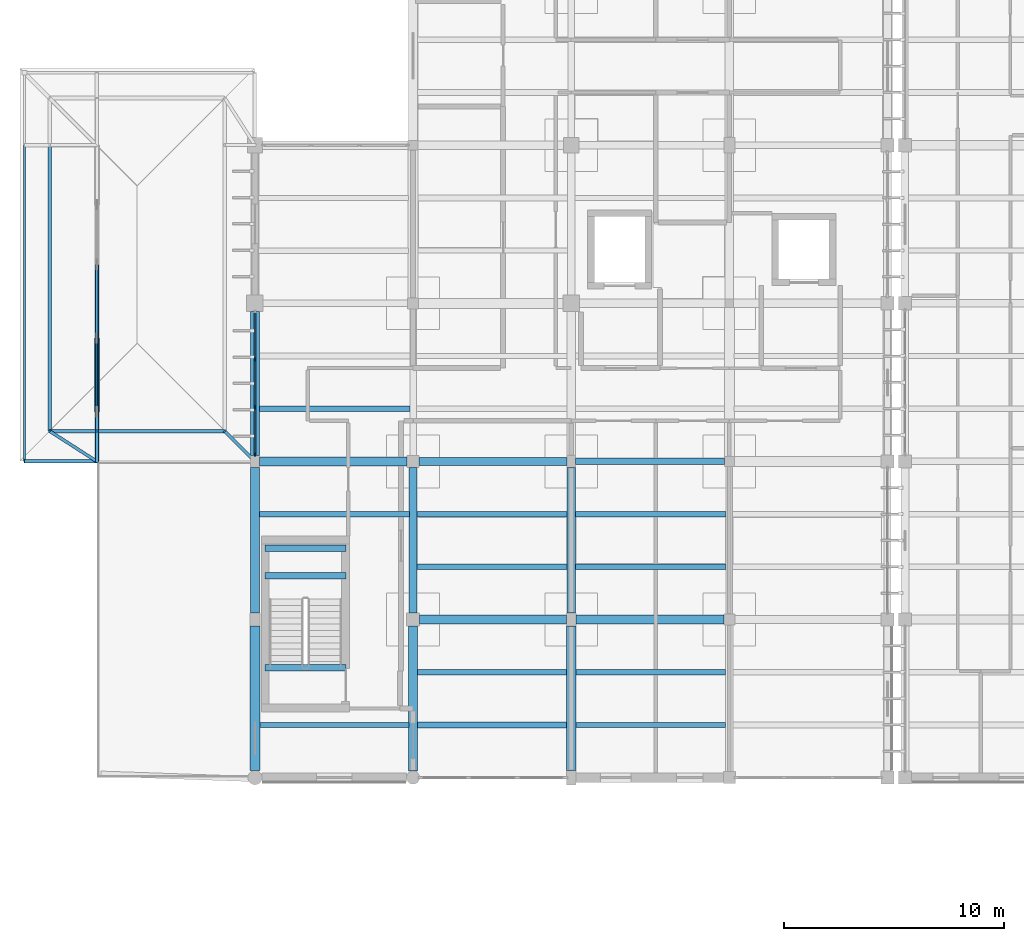
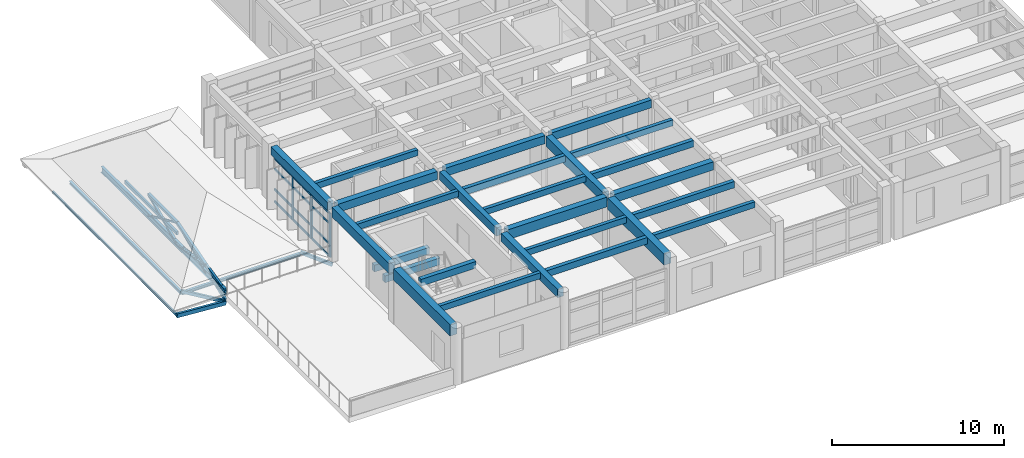
# One storey, part 15 of 100: 31 members, 27 beams, 1 element without a shape of its own.
"""IFC4 building model written with IfcOpenShell, lengths in metres."""

from ifc_helpers import new_model, si_unit, direction, frame, origin, origin_2d, place, context, subcontext, project, spatial, rectangle, hollow_rectangle, hollow_circle, i_section, extrude, material, material_profile, profile_set, type_object, element, aggregate, save


model = new_model("IFC4")

# Units and contexts
model_context = context("Model", 3, precision=1e-05, world=origin(), true_north=direction((0.0, 1.0)))
body_context = subcontext(model_context, "Body", "Model", "MODEL_VIEW")
ifc_project = project(units=[si_unit("LENGTHUNIT", "METRE"), si_unit("AREAUNIT", "SQUARE_METRE"), si_unit("VOLUMEUNIT", "CUBIC_METRE"), si_unit("PLANEANGLEUNIT", "RADIAN"), si_unit("MASSUNIT", "GRAM", prefix="KILO")], contexts=[model_context])

# Site, building, storey
site_placement = place(None, origin())
site = spatial("IfcSite", under=ifc_project, at=site_placement, CompositionType="ELEMENT")
building_placement = place(site_placement, origin())
building = spatial("IfcBuilding", under=site, at=building_placement, Name="Steenspoor Specialist Clinic", CompositionType="ELEMENT")
storey_placement = place(building_placement, frame((0.0, 0.0, 9.0)))
storey = spatial("IfcBuildingStorey", under=building, at=storey_placement, Name="L02", CompositionType="ELEMENT", Elevation=9.0)

# Beams
ifc_material_1 = material(Name="Concrete C35/45", Category="concrete")
ifc_material_profile_1 = material_profile(ifc_material_1, rectangle(XDim=0.300048828125, YDim=0.47998046875, at=origin_2d()), Name="RC-BM-300X480")
ifc_profile_set_1 = profile_set([ifc_material_profile_1], Name="Concrete C35/45")
beam_type_1 = type_object("IfcBeamType", Name="BM-RC-300X480", PredefinedType="BEAM", material=ifc_profile_set_1)
for number, where, z_axis, x_axis, name in (
    (1, (23.25, 74.35009765625, 1.659912109375), (1.0, 0.0, 0.0), (0.0, 1.0, 0.0), "Stair Mid-Landing Bearer 1 ST-V5B L02"),
    (2, (23.25, 75.60009765625, 1.659912109375), (1.0, 0.0, 0.0), (0.0, 1.0, 0.0), "Stair Mid-Landing Bearer 2 ST-V5B L02"),
    (3, (23.25, 70.14990234375, 3.9599609375), (1.0, 0.0, 0.0), (0.0, 1.0, 0.0), "Stair Well Trimmer Beam ST-V5B L02"),
):
    element("IfcBeam", number, at=place(storey_placement, frame(where, z_axis=z_axis, x_axis=x_axis)), inside=storey, type_object=beam_type_1, Name=name, PredefinedType="BEAM", context=body_context, shape_type="SweptSolid", body=[
        extrude(rectangle(XDim=0.300048828125, YDim=0.47998046875, at=origin_2d()), origin(), (0.0, 0.0, 1.0), 3.699951171875),
    ])
ifc_material_profile_2 = material_profile(ifc_material_1, rectangle(XDim=0.300048828125, YDim=0.550048828125, at=origin_2d()), Name="RC-BM-300X550")
ifc_profile_set_2 = profile_set([ifc_material_profile_2], Name="Concrete C35/45")
beam_type_2 = type_object("IfcBeamType", Name="BM-RC-300X550", PredefinedType="BEAM", material=ifc_profile_set_2)
beam_1_placement = place(storey_placement, frame((37.39501953125, 79.550048828125, 3.675048828125), z_axis=(1.0, 0.0, 0.0), x_axis=(0.0, 1.0, 0.0)))
element("IfcBeam", 4, at=beam_1_placement, inside=storey, type_object=beam_type_2, Name="BM-V5-L02-X1255", PredefinedType="BEAM", context=body_context, shape_type="SweptSolid", body=[
    extrude(rectangle(XDim=0.300048828125, YDim=0.550048828125, at=origin_2d()), origin(), (0.0, 0.0, 1.0), 6.784912109375),
])
ifc_material_profile_3 = material_profile(ifc_material_1, rectangle(XDim=0.35009765625, YDim=0.580078125, at=origin_2d()), Name="RC-BM-350X580")
ifc_profile_set_3 = profile_set([ifc_material_profile_3], Name="Concrete C35/45")
beam_type_3 = type_object("IfcBeamType", Name="BM-RC-350X580", PredefinedType="BEAM", material=ifc_profile_set_3)
beam_2_placement = place(storey_placement, frame((30.27001953125, 79.550048828125, 3.659912109375), z_axis=(1.0, 0.0, 0.0), x_axis=(0.0, 1.0, 0.0)))
element("IfcBeam", 5, at=beam_2_placement, inside=storey, type_object=beam_type_3, Name="BM-V5-L02-X1254", PredefinedType="BEAM", context=body_context, shape_type="SweptSolid", body=[
    extrude(rectangle(XDim=0.35009765625, YDim=0.580078125, at=origin_2d()), origin(), (0.0, 0.0, 1.0), 6.73486328125),
])
beam_3_placement = place(storey_placement, frame((30.0, 72.64501953125, 3.659912109375), z_axis=(0.0, 1.0, 0.0), x_axis=(-1.0, 0.0, 0.0)))
element("IfcBeam", 6, at=beam_3_placement, inside=storey, type_object=beam_type_3, Name="BM-V5-L02-Y1275", PredefinedType="BEAM", context=body_context, shape_type="SweptSolid", body=[
    extrude(rectangle(XDim=0.35009765625, YDim=0.580078125, at=origin_2d()), origin(), (0.0, 0.0, 1.0), 6.635009765625),
])
ifc_material_profile_4 = material_profile(ifc_material_1, rectangle(XDim=0.39990234375, YDim=0.580078125, at=origin_2d()), Name="RC-BM-400X580")
ifc_profile_set_4 = profile_set([ifc_material_profile_4], Name="Concrete C35/45")
beam_type_4 = type_object("IfcBeamType", Name="BM-RC-400X580", PredefinedType="BEAM", material=ifc_profile_set_4)
beam_4_placement = place(storey_placement, frame((37.419921875, 72.35009765625, 3.659912109375), z_axis=(1.0, 0.0, 0.0), x_axis=(0.0, 1.0, 0.0)))
element("IfcBeam", 7, at=beam_4_placement, inside=storey, type_object=beam_type_4, Name="BM-V5-L02-X1251", PredefinedType="BEAM", context=body_context, shape_type="SweptSolid", body=[
    extrude(rectangle(XDim=0.39990234375, YDim=0.580078125, at=origin_2d()), origin(), (0.0, 0.0, 1.0), 6.735107421875),
])
beam_5_placement = place(storey_placement, frame((22.9951171875, 79.550048828125, 3.659912109375), z_axis=(1.0, 0.0, 0.0), x_axis=(0.0, 1.0, 0.0)))
element("IfcBeam", 8, at=beam_5_placement, inside=storey, type_object=beam_type_4, Name="BM-V5-L02-X1253", PredefinedType="BEAM", context=body_context, shape_type="SweptSolid", body=[
    extrude(rectangle(XDim=0.39990234375, YDim=0.580078125, at=origin_2d()), origin(), (0.0, 0.0, 1.0), 6.73486328125),
])
beam_6_placement = place(storey_placement, frame((22.800048828125, 79.820068359375, 3.659912109375), z_axis=(0.0, 1.0, 0.0), x_axis=(-1.0, 0.0, 0.0)))
element("IfcBeam", 9, at=beam_6_placement, inside=storey, type_object=beam_type_4, Name="BM-V5-L02-Y1272", PredefinedType="BEAM", context=body_context, shape_type="SweptSolid", body=[
    extrude(rectangle(XDim=0.39990234375, YDim=0.580078125, at=origin_2d()), origin(), (0.0, 0.0, 1.0), 6.559814453125),
])
beam_7_placement = place(storey_placement, frame((30.0, 65.445068359375, 3.659912109375), z_axis=(0.0, 1.0, 0.0), x_axis=(-1.0, 0.0, 0.0)))
element("IfcBeam", 10, at=beam_7_placement, inside=storey, type_object=beam_type_4, Name="BM-V5-L02-Y1274", PredefinedType="BEAM", context=body_context, shape_type="SweptSolid", body=[
    extrude(rectangle(XDim=0.39990234375, YDim=0.580078125, at=origin_2d()), origin(), (0.0, 0.0, 1.0), 6.60986328125),
])
ifc_material_profile_5 = material_profile(ifc_material_1, rectangle(XDim=0.39990234375, YDim=0.699951171875, at=origin_2d()), Name="RC-BM-400X700")
ifc_profile_set_5 = profile_set([ifc_material_profile_5], Name="Concrete C35/45")
beam_type_5 = type_object("IfcBeamType", Name="BM-RC-400X700", PredefinedType="BEAM", material=ifc_profile_set_5)
beam_8_placement = place(storey_placement, frame((30.294921875, 72.35009765625, 3.60009765625), z_axis=(1.0, 0.0, 0.0), x_axis=(0.0, 1.0, 0.0)))
element("IfcBeam", 11, at=beam_8_placement, inside=storey, type_object=beam_type_5, Name="BM-V5-L02-X1250", PredefinedType="BEAM", context=body_context, shape_type="SweptSolid", body=[
    extrude(rectangle(XDim=0.39990234375, YDim=0.699951171875, at=origin_2d()), origin(), (0.0, 0.0, 1.0), 6.68505859375),
])
for number, where, z_axis, x_axis, name in (
    (12, (22.800048828125, 72.64501953125, 3.60009765625), (0.0, 1.0, 0.0), (-1.0, 0.0, 0.0), "BM-V5-L02-Y1271"),
    (13, (37.199951171875, 72.64501953125, 3.60009765625), (0.0, 1.0, 0.0), (-1.0, 0.0, 0.0), "BM-V5-L02-Y1281"),
):
    element("IfcBeam", number, at=place(storey_placement, frame(where, z_axis=z_axis, x_axis=x_axis)), inside=storey, type_object=beam_type_5, Name=name, PredefinedType="BEAM", context=body_context, shape_type="SweptSolid", body=[
        extrude(rectangle(XDim=0.39990234375, YDim=0.699951171875, at=origin_2d()), origin(), (0.0, 0.0, 1.0), 6.635009765625),
    ])
ifc_material_profile_6 = material_profile(ifc_material_1, rectangle(XDim=0.449951171875, YDim=0.800048828125, at=origin_2d()), Name="RC-BM-450X800")
ifc_profile_set_6 = profile_set([ifc_material_profile_6], Name="Concrete C35/45")
beam_type_6 = type_object("IfcBeamType", Name="BM-RC-450X800", PredefinedType="BEAM", material=ifc_profile_set_6)
for number, where, z_axis, x_axis, name in (
    (14, (22.800048828125, 65.469970703125, 3.550048828125), (0.0, 1.0, 0.0), (-1.0, 0.0, 0.0), "BM-V5-L02-Y1270"),
    (15, (37.199951171875, 65.469970703125, 3.550048828125), (0.0, 1.0, 0.0), (-1.0, 0.0, 0.0), "BM-V5-L02-Y1280"),
):
    element("IfcBeam", number, at=place(storey_placement, frame(where, z_axis=z_axis, x_axis=x_axis)), inside=storey, type_object=beam_type_6, Name=name, PredefinedType="BEAM", context=body_context, shape_type="SweptSolid", body=[
        extrude(rectangle(XDim=0.449951171875, YDim=0.800048828125, at=origin_2d()), origin(), (0.0, 0.0, 1.0), 6.5849609375),
    ])
ifc_material_2 = material(Name="Steel A992 Grade 50", Category="steel")
ifc_material_profile_7 = material_profile(ifc_material_2, i_section(OverallWidth=0.180908203125, OverallDepth=0.4169921875, WebThickness=0.010986328125, FlangeThickness=0.018310546875, at=origin_2d()), Name="W410X85")
ifc_profile_set_7 = profile_set([ifc_material_profile_7], Name="Steel A992 Grade 50")
beam_type_7 = type_object("IfcBeamType", Name="BM-ST-W410X85", PredefinedType="BEAM", material=ifc_profile_set_7)
beam_9_placement = place(storey_placement, frame((15.60009765625, 79.550048828125, 0.228515625), z_axis=(0.0, 1.0, 0.0), x_axis=(-1.0, 0.0, 0.0)))
element("IfcBeam", 16, at=beam_9_placement, inside=storey, type_object=beam_type_7, Name="ROOF TRUSS Bottom Tie Chord V5T1 1", PredefinedType="BEAM", context=body_context, shape_type="SweptSolid", body=[
    extrude(i_section(OverallWidth=0.180908203125, OverallDepth=0.4169921875, WebThickness=0.010986328125, FlangeThickness=0.018310546875, at=origin_2d()), origin(), (0.0, 0.0, 1.0), 14.39990234375),
])

# Curtain wall, members
ifc_material_3 = material(Name="Thermally broken aluminium and low-emissivity glass", Category="aluminium")
curtain_wall_type = type_object("IfcCurtainWallType", Name="CW-L00-360X415", PredefinedType="USERDEFINED", material=ifc_material_3)
curtain_wall_placement = place(storey_placement, origin())
curtain_wall = element("IfcCurtainWall", 17, at=curtain_wall_placement, inside=storey, type_object=curtain_wall_type, Name="Unitised Curtain Wall CW-V5-L02-151", ObjectType="UNITISED GLAZING", PredefinedType="USERDEFINED")
ifc_material_4 = material(Name="Thermally broken aluminium 6063-T6", Category="aluminium")
ifc_material_profile_8 = material_profile(ifc_material_4, rectangle(XDim=0.080078125, YDim=0.179931640625, at=origin_2d()), Name="CWM-80X180")
ifc_profile_set_8 = profile_set([ifc_material_profile_8], Name="Thermally broken aluminium 6063-T6")
member_type_1 = type_object("IfcMemberType", Name="CW-MULL-80X180", PredefinedType="MULLION", material=ifc_profile_set_8)
member_1_placement = place(storey_placement, frame((22.800048828125, 79.864990234375, 0.0), z_axis=(0.0, 0.0, 1.0), x_axis=(-1.0, 0.0, 0.0)))
member_1 = element("IfcMember", 18, at=member_1_placement, type_object=member_type_1, Name="CW-07 mullion 1", PredefinedType="MULLION", context=body_context, shape_type="SweptSolid", body=[
    extrude(rectangle(XDim=0.080078125, YDim=0.179931640625, at=origin_2d()), origin(), (0.0, 0.0, 1.0), 3.1298828125),
])
member_2_placement = place(storey_placement, frame((22.800048828125, 82.00830078125, 0.0), z_axis=(0.0, 0.0, 1.0), x_axis=(-1.0, 0.0, 0.0)))
member_2 = element("IfcMember", 19, at=member_2_placement, type_object=member_type_1, Name="CW-07 mullion 2", PredefinedType="MULLION", context=body_context, shape_type="SweptSolid", body=[
    extrude(rectangle(XDim=0.080078125, YDim=0.179931640625, at=origin_2d()), origin(), (0.0, 0.0, 1.0), 3.1298828125),
])
member_3_placement = place(storey_placement, frame((22.800048828125, 84.191650390625, 0.0), z_axis=(0.0, 0.0, 1.0), x_axis=(-1.0, 0.0, 0.0)))
member_3 = element("IfcMember", 20, at=member_3_placement, type_object=member_type_1, Name="CW-07 mullion 3", PredefinedType="MULLION", context=body_context, shape_type="SweptSolid", body=[
    extrude(rectangle(XDim=0.080078125, YDim=0.179931640625, at=origin_2d()), origin(), (0.0, 0.0, 1.0), 3.1298828125),
])
ifc_material_profile_9 = material_profile(ifc_material_4, rectangle(XDim=0.070068359375, YDim=0.14501953125, at=origin_2d()), Name="CWT-70X145")
ifc_profile_set_9 = profile_set([ifc_material_profile_9], Name="Thermally broken aluminium 6063-T6")
member_type_2 = type_object("IfcMemberType", Name="CW-TRAN-70X145", PredefinedType="USERDEFINED", material=ifc_profile_set_9)
member_4_placement = place(storey_placement, frame((22.800048828125, 79.905029296875, 0.034912109375), z_axis=(0.0, 1.0, 0.0), x_axis=(-1.0, 0.0, 0.0)))
member_4 = element("IfcMember", 21, at=member_4_placement, type_object=member_type_2, Name="CW-07 transom 1.1", ObjectType="TRANSOM", PredefinedType="USERDEFINED", context=body_context, shape_type="SweptSolid", body=[
    extrude(rectangle(XDim=0.070068359375, YDim=0.14501953125, at=origin_2d()), origin(), (0.0, 0.0, 1.0), 2.063232421875),
])
member_5_placement = place(storey_placement, frame((22.800048828125, 79.905029296875, 0.89990234375), z_axis=(0.0, 1.0, 0.0), x_axis=(-1.0, 0.0, 0.0)))
member_5 = element("IfcMember", 22, at=member_5_placement, type_object=member_type_2, Name="CW-07 transom 1.2", ObjectType="TRANSOM", PredefinedType="USERDEFINED", context=body_context, shape_type="SweptSolid", body=[
    extrude(rectangle(XDim=0.070068359375, YDim=0.14501953125, at=origin_2d()), origin(), (0.0, 0.0, 1.0), 2.063232421875),
])
member_6_placement = place(storey_placement, frame((22.800048828125, 79.905029296875, 2.35009765625), z_axis=(0.0, 1.0, 0.0), x_axis=(-1.0, 0.0, 0.0)))
member_6 = element("IfcMember", 23, at=member_6_placement, type_object=member_type_2, Name="CW-07 transom 1.3", ObjectType="TRANSOM", PredefinedType="USERDEFINED", context=body_context, shape_type="SweptSolid", body=[
    extrude(rectangle(XDim=0.070068359375, YDim=0.14501953125, at=origin_2d()), origin(), (0.0, 0.0, 1.0), 2.063232421875),
])
member_7_placement = place(storey_placement, frame((22.800048828125, 79.905029296875, 3.094970703125), z_axis=(0.0, 1.0, 0.0), x_axis=(-1.0, 0.0, 0.0)))
member_7 = element("IfcMember", 24, at=member_7_placement, type_object=member_type_2, Name="CW-07 transom 1.4", ObjectType="TRANSOM", PredefinedType="USERDEFINED", context=body_context, shape_type="SweptSolid", body=[
    extrude(rectangle(XDim=0.070068359375, YDim=0.14501953125, at=origin_2d()), origin(), (0.0, 0.0, 1.0), 2.063232421875),
])
member_8_placement = place(storey_placement, frame((22.800048828125, 82.04833984375, 0.034912109375), z_axis=(0.0, 1.0, 0.0), x_axis=(-1.0, 0.0, 0.0)))
member_8 = element("IfcMember", 25, at=member_8_placement, type_object=member_type_2, Name="CW-07 transom 2.1", ObjectType="TRANSOM", PredefinedType="USERDEFINED", context=body_context, shape_type="SweptSolid", body=[
    extrude(rectangle(XDim=0.070068359375, YDim=0.14501953125, at=origin_2d()), origin(), (0.0, 0.0, 1.0), 2.103271484375),
])
member_9_placement = place(storey_placement, frame((22.800048828125, 82.04833984375, 0.89990234375), z_axis=(0.0, 1.0, 0.0), x_axis=(-1.0, 0.0, 0.0)))
member_9 = element("IfcMember", 26, at=member_9_placement, type_object=member_type_2, Name="CW-07 transom 2.2", ObjectType="TRANSOM", PredefinedType="USERDEFINED", context=body_context, shape_type="SweptSolid", body=[
    extrude(rectangle(XDim=0.070068359375, YDim=0.14501953125, at=origin_2d()), origin(), (0.0, 0.0, 1.0), 2.103271484375),
])
member_10_placement = place(storey_placement, frame((22.800048828125, 82.04833984375, 2.35009765625), z_axis=(0.0, 1.0, 0.0), x_axis=(-1.0, 0.0, 0.0)))
member_10 = element("IfcMember", 27, at=member_10_placement, type_object=member_type_2, Name="CW-07 transom 2.3", ObjectType="TRANSOM", PredefinedType="USERDEFINED", context=body_context, shape_type="SweptSolid", body=[
    extrude(rectangle(XDim=0.070068359375, YDim=0.14501953125, at=origin_2d()), origin(), (0.0, 0.0, 1.0), 2.103271484375),
])
member_11_placement = place(storey_placement, frame((22.800048828125, 82.04833984375, 3.094970703125), z_axis=(0.0, 1.0, 0.0), x_axis=(-1.0, 0.0, 0.0)))
member_11 = element("IfcMember", 28, at=member_11_placement, type_object=member_type_2, Name="CW-07 transom 2.4", ObjectType="TRANSOM", PredefinedType="USERDEFINED", context=body_context, shape_type="SweptSolid", body=[
    extrude(rectangle(XDim=0.070068359375, YDim=0.14501953125, at=origin_2d()), origin(), (0.0, 0.0, 1.0), 2.103271484375),
])
member_12_placement = place(storey_placement, frame((22.800048828125, 84.231689453125, 0.034912109375), z_axis=(0.0, 1.0, 0.0), x_axis=(-1.0, 0.0, 0.0)))
member_12 = element("IfcMember", 29, at=member_12_placement, type_object=member_type_2, Name="CW-07 transom 3.1", ObjectType="TRANSOM", PredefinedType="USERDEFINED", context=body_context, shape_type="SweptSolid", body=[
    extrude(rectangle(XDim=0.070068359375, YDim=0.14501953125, at=origin_2d()), origin(), (0.0, 0.0, 1.0), 2.063232421875),
])
member_13_placement = place(storey_placement, frame((22.800048828125, 84.231689453125, 0.89990234375), z_axis=(0.0, 1.0, 0.0), x_axis=(-1.0, 0.0, 0.0)))
member_13 = element("IfcMember", 30, at=member_13_placement, type_object=member_type_2, Name="CW-07 transom 3.2", ObjectType="TRANSOM", PredefinedType="USERDEFINED", context=body_context, shape_type="SweptSolid", body=[
    extrude(rectangle(XDim=0.070068359375, YDim=0.14501953125, at=origin_2d()), origin(), (0.0, 0.0, 1.0), 2.063232421875),
])
member_14_placement = place(storey_placement, frame((22.800048828125, 84.231689453125, 2.35009765625), z_axis=(0.0, 1.0, 0.0), x_axis=(-1.0, 0.0, 0.0)))
member_14 = element("IfcMember", 31, at=member_14_placement, type_object=member_type_2, Name="CW-07 transom 3.3", ObjectType="TRANSOM", PredefinedType="USERDEFINED", context=body_context, shape_type="SweptSolid", body=[
    extrude(rectangle(XDim=0.070068359375, YDim=0.14501953125, at=origin_2d()), origin(), (0.0, 0.0, 1.0), 2.063232421875),
])
member_15_placement = place(storey_placement, frame((22.800048828125, 84.231689453125, 3.094970703125), z_axis=(0.0, 1.0, 0.0), x_axis=(-1.0, 0.0, 0.0)))
member_15 = element("IfcMember", 32, at=member_15_placement, type_object=member_type_2, Name="CW-07 transom 3.4", ObjectType="TRANSOM", PredefinedType="USERDEFINED", context=body_context, shape_type="SweptSolid", body=[
    extrude(rectangle(XDim=0.070068359375, YDim=0.14501953125, at=origin_2d()), origin(), (0.0, 0.0, 1.0), 2.063232421875),
])
aggregate(curtain_wall, [member_1, member_2, member_3, member_4, member_5, member_6, member_7, member_8, member_9, member_10, member_11, member_12, member_13, member_14, member_15])

# Beams
ifc_material_profile_10 = material_profile(ifc_material_1, rectangle(XDim=0.239990234375, YDim=0.419921875, at=origin_2d()), Name="RC-JT-240X420")
ifc_profile_set_10 = profile_set([ifc_material_profile_10], Name="Concrete C35/45")
beam_type_8 = type_object("IfcBeamType", Name="JT-RC-240X420", PredefinedType="JOIST", material=ifc_profile_set_10)
beam_10_placement = place(storey_placement, frame((23.02001953125, 67.550048828125, 3.739990234375), z_axis=(1.0, 0.0, 0.0), x_axis=(0.0, 1.0, 0.0)))
element("IfcBeam", 33, at=beam_10_placement, inside=storey, type_object=beam_type_8, Name="JT-V5-L02-1298", PredefinedType="JOIST", context=body_context, shape_type="SweptSolid", body=[
    extrude(rectangle(XDim=0.239990234375, YDim=0.419921875, at=origin_2d()), origin(), (0.0, 0.0, 1.0), 6.784912109375),
])
beam_11_placement = place(storey_placement, frame((22.9951171875, 77.14990234375, 3.739990234375), z_axis=(1.0, 0.0, 0.0), x_axis=(0.0, 1.0, 0.0)))
element("IfcBeam", 34, at=beam_11_placement, inside=storey, type_object=beam_type_8, Name="JT-V5-L02-1299", PredefinedType="JOIST", context=body_context, shape_type="SweptSolid", body=[
    extrude(rectangle(XDim=0.239990234375, YDim=0.419921875, at=origin_2d()), origin(), (0.0, 0.0, 1.0), 6.8349609375),
])
beam_12_placement = place(storey_placement, frame((22.9951171875, 81.949951171875, 3.739990234375), z_axis=(1.0, 0.0, 0.0), x_axis=(0.0, 1.0, 0.0)))
element("IfcBeam", 35, at=beam_12_placement, inside=storey, type_object=beam_type_8, Name="JT-V5-L02-1300", PredefinedType="JOIST", context=body_context, shape_type="SweptSolid", body=[
    extrude(rectangle(XDim=0.239990234375, YDim=0.419921875, at=origin_2d()), origin(), (0.0, 0.0, 1.0), 6.85986328125),
])
beam_13_placement = place(storey_placement, frame((30.195068359375, 69.949951171875, 3.739990234375), z_axis=(1.0, 0.0, 0.0), x_axis=(0.0, 1.0, 0.0)))
element("IfcBeam", 36, at=beam_13_placement, inside=storey, type_object=beam_type_8, Name="JT-V5-L02-1305", PredefinedType="JOIST", context=body_context, shape_type="SweptSolid", body=[
    extrude(rectangle(XDim=0.239990234375, YDim=0.419921875, at=origin_2d()), origin(), (0.0, 0.0, 1.0), 6.784912109375),
])
beam_14_placement = place(storey_placement, frame((30.169921875, 74.75, 3.739990234375), z_axis=(1.0, 0.0, 0.0), x_axis=(0.0, 1.0, 0.0)))
element("IfcBeam", 37, at=beam_14_placement, inside=storey, type_object=beam_type_8, Name="JT-V5-L02-1306", PredefinedType="JOIST", context=body_context, shape_type="SweptSolid", body=[
    extrude(rectangle(XDim=0.239990234375, YDim=0.419921875, at=origin_2d()), origin(), (0.0, 0.0, 1.0), 6.8349609375),
])
beam_15_placement = place(storey_placement, frame((37.419921875, 67.550048828125, 3.739990234375), z_axis=(1.0, 0.0, 0.0), x_axis=(0.0, 1.0, 0.0)))
element("IfcBeam", 38, at=beam_15_placement, inside=storey, type_object=beam_type_8, Name="JT-V5-L02-1314", PredefinedType="JOIST", context=body_context, shape_type="SweptSolid", body=[
    extrude(rectangle(XDim=0.239990234375, YDim=0.419921875, at=origin_2d()), origin(), (0.0, 0.0, 1.0), 6.81005859375),
])
beam_16_placement = place(storey_placement, frame((37.39501953125, 77.14990234375, 3.739990234375), z_axis=(1.0, 0.0, 0.0), x_axis=(0.0, 1.0, 0.0)))
element("IfcBeam", 39, at=beam_16_placement, inside=storey, type_object=beam_type_8, Name="JT-V5-L02-1317", PredefinedType="JOIST", context=body_context, shape_type="SweptSolid", body=[
    extrude(rectangle(XDim=0.239990234375, YDim=0.419921875, at=origin_2d()), origin(), (0.0, 0.0, 1.0), 6.85986328125),
])
ifc_material_profile_11 = material_profile(ifc_material_1, rectangle(XDim=0.260009765625, YDim=0.4599609375, at=origin_2d()), Name="RC-JT-260X460")
ifc_profile_set_11 = profile_set([ifc_material_profile_11], Name="Concrete C35/45")
beam_type_9 = type_object("IfcBeamType", Name="JT-RC-260X460", PredefinedType="JOIST", material=ifc_profile_set_11)
beam_17_placement = place(storey_placement, frame((30.195068359375, 67.550048828125, 3.719970703125), z_axis=(1.0, 0.0, 0.0), x_axis=(0.0, 1.0, 0.0)))
element("IfcBeam", 40, at=beam_17_placement, inside=storey, type_object=beam_type_9, Name="JT-V5-L02-1304", PredefinedType="JOIST", context=body_context, shape_type="SweptSolid", body=[
    extrude(rectangle(XDim=0.260009765625, YDim=0.4599609375, at=origin_2d()), origin(), (0.0, 0.0, 1.0), 6.784912109375),
])
beam_18_placement = place(storey_placement, frame((30.169921875, 77.14990234375, 3.719970703125), z_axis=(1.0, 0.0, 0.0), x_axis=(0.0, 1.0, 0.0)))
element("IfcBeam", 41, at=beam_18_placement, inside=storey, type_object=beam_type_9, Name="JT-V5-L02-1307", PredefinedType="JOIST", context=body_context, shape_type="SweptSolid", body=[
    extrude(rectangle(XDim=0.260009765625, YDim=0.4599609375, at=origin_2d()), origin(), (0.0, 0.0, 1.0), 6.8349609375),
])
beam_19_placement = place(storey_placement, frame((37.419921875, 69.949951171875, 3.719970703125), z_axis=(1.0, 0.0, 0.0), x_axis=(0.0, 1.0, 0.0)))
element("IfcBeam", 42, at=beam_19_placement, inside=storey, type_object=beam_type_9, Name="JT-V5-L02-1315", PredefinedType="JOIST", context=body_context, shape_type="SweptSolid", body=[
    extrude(rectangle(XDim=0.260009765625, YDim=0.4599609375, at=origin_2d()), origin(), (0.0, 0.0, 1.0), 6.81005859375),
])
beam_20_placement = place(storey_placement, frame((37.39501953125, 74.75, 3.719970703125), z_axis=(1.0, 0.0, 0.0), x_axis=(0.0, 1.0, 0.0)))
element("IfcBeam", 43, at=beam_20_placement, inside=storey, type_object=beam_type_9, Name="JT-V5-L02-1316", PredefinedType="JOIST", context=body_context, shape_type="SweptSolid", body=[
    extrude(rectangle(XDim=0.260009765625, YDim=0.4599609375, at=origin_2d()), origin(), (0.0, 0.0, 1.0), 6.85986328125),
])

# Members
ifc_material_5 = material(Name="Steel A500 Grade C", Category="steel")
ifc_material_profile_12 = material_profile(ifc_material_5, hollow_circle(Radius=0.084228515625, WallThickness=0.007080078125, at=origin_2d()), Name="CHS168X7.1")
ifc_profile_set_12 = profile_set([ifc_material_profile_12], Name="Steel A500 Grade C")
member_type_3 = type_object("IfcMemberType", Name="MEM-BRACE-CHS168", PredefinedType="BRACE", material=ifc_profile_set_12)
member_16_placement = place(storey_placement, frame((15.60009765625, 81.800048828125, 0.228515625), z_axis=(0.0, 0.913416702337, 0.407025709128), x_axis=(-1.0, 0.0, 0.0)))
element("IfcMember", 44, at=member_16_placement, inside=storey, type_object=member_type_3, Name="ROOF TRUSS Web Brace V5T1 1.1", PredefinedType="BRACE", context=body_context, shape_type="SweptSolid", body=[
    extrude(hollow_circle(Radius=0.084228515625, WallThickness=0.007080078125, at=origin_2d()), origin(), (0.0, 0.0, 1.0), 3.67578125),
])
ifc_material_profile_13 = material_profile(ifc_material_5, hollow_rectangle(XDim=0.15234375, YDim=0.15234375, WallThickness=0.0087890625, at=origin_2d()), Name="HSS152X152X9.5")
ifc_profile_set_13 = profile_set([ifc_material_profile_13], Name="Steel A500 Grade C")
member_type_4 = type_object("IfcMemberType", Name="MEM-BRACE-H152", PredefinedType="BRACE", material=ifc_profile_set_13)
member_17_placement = place(storey_placement, frame((15.60009765625, 85.157470703125, 0.228515625), z_axis=(0.0, 0.913416702337, 0.407025709128), x_axis=(-1.0, 0.0, 0.0)))
element("IfcMember", 45, at=member_17_placement, inside=storey, type_object=member_type_4, Name="ROOF TRUSS Web Brace V5T1 1.2", PredefinedType="BRACE", context=body_context, shape_type="SweptSolid", body=[
    extrude(hollow_rectangle(XDim=0.15234375, YDim=0.15234375, WallThickness=0.0087890625, at=origin_2d()), origin(), (0.0, 0.0, 1.0), 3.67578125),
])
ifc_material_profile_14 = material_profile(ifc_material_5, hollow_rectangle(XDim=0.177734375, YDim=0.177734375, WallThickness=0.0087890625, at=origin_2d()), Name="HSS178X178X9.5")
ifc_profile_set_14 = profile_set([ifc_material_profile_14], Name="Steel A500 Grade C")
member_type_5 = type_object("IfcMemberType", Name="MEM-CHORD-H178", PredefinedType="CHORD", material=ifc_profile_set_14)
member_18_placement = place(storey_placement, frame((15.60009765625, 81.800048828125, 0.74072265625), z_axis=(0.0, 0.959642831445, 0.281221684898), x_axis=(-1.0, 0.0, 0.0)))
element("IfcMember", 46, at=member_18_placement, inside=storey, type_object=member_type_5, Name="ROOF TRUSS Top Chord V5T1 1.1", PredefinedType="CHORD", context=body_context, shape_type="SweptSolid", body=[
    extrude(hollow_rectangle(XDim=0.177734375, YDim=0.177734375, WallThickness=0.0087890625, at=origin_2d()), origin(), (0.0, 0.0, 1.0), 3.49853515625),
])
member_19_placement = place(storey_placement, frame((15.60009765625, 85.157470703125, 1.724609375), z_axis=(0.0, 1.0, 0.0), x_axis=(-1.0, 0.0, 0.0)))
element("IfcMember", 47, at=member_19_placement, inside=storey, type_object=member_type_5, Name="ROOF TRUSS Top Chord V5T1 1.2", PredefinedType="CHORD", context=body_context, shape_type="SweptSolid", body=[
    extrude(hollow_rectangle(XDim=0.177734375, YDim=0.177734375, WallThickness=0.0087890625, at=origin_2d()), origin(), (0.0, 0.0, 1.0), 3.357421875),
])
ifc_material_profile_15 = material_profile(ifc_material_5, hollow_rectangle(XDim=0.1015625, YDim=0.15234375, WallThickness=0.005859375, at=origin_2d()), Name="HSS152X102X6.4")
ifc_profile_set_15 = profile_set([ifc_material_profile_15], Name="Steel A500 Grade C")
member_type_6 = type_object("IfcMemberType", Name="MEM-PURLIN-H152", PredefinedType="PURLIN", material=ifc_profile_set_15)
member_20_placement = place(storey_placement, frame((12.300048828125, 79.550048828125, -0.243408203125), z_axis=(0.0, 1.0, 0.0), x_axis=(-1.0, 0.0, 0.0)))
element("IfcMember", 48, at=member_20_placement, inside=storey, type_object=member_type_6, Name="ROOF TRUSS Eave Fascia 415", PredefinedType="PURLIN", context=body_context, shape_type="SweptSolid", body=[
    extrude(hollow_rectangle(XDim=0.1015625, YDim=0.15234375, WallThickness=0.005859375, at=origin_2d()), origin(), (0.0, 0.0, 1.0), 14.39990234375),
])
ifc_material_profile_16 = material_profile(ifc_material_2, i_section(OverallWidth=0.1650390625, OverallDepth=0.200927734375, WebThickness=0.006103515625, FlangeThickness=0.01025390625, at=origin_2d()), Name="W200X36")
ifc_profile_set_16 = profile_set([ifc_material_profile_16], Name="Steel A992 Grade 50")
member_type_7 = type_object("IfcMemberType", Name="MEM-PURLIN-W200", PredefinedType="PURLIN", material=ifc_profile_set_16)
member_21_placement = place(storey_placement, frame((13.449951171875, 80.929931640625, 0.0439453125), z_axis=(1.0, 0.0, 0.0), x_axis=(0.0, 1.0, 0.0)))
element("IfcMember", 49, at=member_21_placement, inside=storey, type_object=member_type_7, Name="ROOF TRUSS Knuckle Purlin 417", PredefinedType="PURLIN", context=body_context, shape_type="SweptSolid", body=[
    extrude(i_section(OverallWidth=0.1650390625, OverallDepth=0.200927734375, WebThickness=0.006103515625, FlangeThickness=0.01025390625, at=origin_2d()), origin(), (0.0, 0.0, 1.0), 2.150146484375),
])
member_22_placement = place(storey_placement, frame((15.60009765625, 80.929931640625, 0.0439453125), z_axis=(1.0, 0.0, 0.0), x_axis=(0.0, 1.0, 0.0)))
element("IfcMember", 50, at=member_22_placement, inside=storey, type_object=member_type_7, Name="ROOF TRUSS Knuckle Purlin 419", PredefinedType="PURLIN", context=body_context, shape_type="SweptSolid", body=[
    extrude(i_section(OverallWidth=0.1650390625, OverallDepth=0.200927734375, WebThickness=0.006103515625, FlangeThickness=0.01025390625, at=origin_2d()), origin(), (0.0, 0.0, 1.0), 5.81982421875),
])
member_23_placement = place(storey_placement, frame((13.449951171875, 80.929931640625, 0.0439453125), z_axis=(0.0, 1.0, 0.0), x_axis=(-1.0, 0.0, 0.0)))
element("IfcMember", 51, at=member_23_placement, inside=storey, type_object=member_type_7, Name="ROOF TRUSS Knuckle Purlin 421", PredefinedType="PURLIN", context=body_context, shape_type="SweptSolid", body=[
    extrude(i_section(OverallWidth=0.1650390625, OverallDepth=0.200927734375, WebThickness=0.006103515625, FlangeThickness=0.01025390625, at=origin_2d()), origin(), (0.0, 0.0, 1.0), 13.02001953125),
])
ifc_material_6 = material(Name="Glulam GL28h", Category="wood")
ifc_material_profile_17 = material_profile(ifc_material_6, rectangle(XDim=0.139892578125, YDim=0.219970703125, at=origin_2d()), Name="GL28H-140X220")
ifc_profile_set_17 = profile_set([ifc_material_profile_17], Name="Glulam GL28h")
member_type_8 = type_object("IfcMemberType", Name="MEM-RAFTER-GL220", PredefinedType="RAFTER", material=ifc_profile_set_17)
member_24_placement = place(storey_placement, frame((15.60009765625, 79.550048828125, -0.356201171875), z_axis=(0.0, 0.932893944911, 0.360151200955), x_axis=(-1.0, 0.0, 0.0)))
element("IfcMember", 52, at=member_24_placement, inside=storey, type_object=member_type_8, Name="ROOF TRUSS Knuckle Rafter V5T1 259", PredefinedType="RAFTER", context=body_context, shape_type="SweptSolid", body=[
    extrude(rectangle(XDim=0.139892578125, YDim=0.219970703125, at=origin_2d()), origin(), (0.0, 0.0, 1.0), 1.479248046875),
])
member_25_placement = place(storey_placement, frame((15.60009765625, 79.550048828125, -0.467041015625), z_axis=(-0.816103947941, 0.523744693285, 0.244265925602), x_axis=(-0.540105412628, -0.841597375976, 0.0)))
element("IfcMember", 53, at=member_25_placement, inside=storey, type_object=member_type_8, Name="ROOF TRUSS Corner Knuckle Rafter V5T1 267", PredefinedType="RAFTER", context=body_context, shape_type="SweptSolid", body=[
    extrude(rectangle(XDim=0.139892578125, YDim=0.219970703125, at=origin_2d()), origin(), (0.0, 0.0, 1.0), 2.634765625),
])
member_26_placement = place(storey_placement, frame((22.800048828125, 79.550048828125, -0.376220703125), z_axis=(-0.680407087119, 0.680286724995, 0.272499848795), x_axis=(-0.707044230275, -0.707169326565, 0.0)))
element("IfcMember", 54, at=member_26_placement, inside=storey, type_object=member_type_8, Name="ROOF TRUSS Corner Knuckle Rafter V5T1 270", PredefinedType="RAFTER", context=body_context, shape_type="SweptSolid", body=[
    extrude(rectangle(XDim=0.139892578125, YDim=0.219970703125, at=origin_2d()), origin(), (0.0, 0.0, 1.0), 2.0283203125),
])
member_27_placement = place(storey_placement, frame((15.60009765625, 79.550048828125, 0.228515625), z_axis=(0.0, 0.97505380753, 0.221968629362), x_axis=(-1.0, 0.0, 0.0)))
element("IfcMember", 55, at=member_27_placement, inside=storey, type_object=member_type_8, Name="ROOF TRUSS Heel Strut V5T1 S 1", PredefinedType="RAFTER", context=body_context, shape_type="SweptSolid", body=[
    extrude(rectangle(XDim=0.139892578125, YDim=0.219970703125, at=origin_2d()), origin(), (0.0, 0.0, 1.0), 2.3076171875),
])
member_28_placement = place(storey_placement, frame((15.60009765625, 85.157470703125, 0.97607421875), z_axis=(0.0, 1.0, 0.0), x_axis=(-1.0, 0.0, 0.0)))
element("IfcMember", 56, at=member_28_placement, inside=storey, type_object=member_type_8, Name="ROOF TRUSS Glulam Collar Rafter V5T1 1", PredefinedType="RAFTER", context=body_context, shape_type="SweptSolid", body=[
    extrude(rectangle(XDim=0.139892578125, YDim=0.219970703125, at=origin_2d()), origin(), (0.0, 0.0, 1.0), 6.074951171875),
])
ifc_material_profile_18 = material_profile(ifc_material_6, rectangle(XDim=0.159912109375, YDim=0.280029296875, at=origin_2d()), Name="GL28H-160X280")
ifc_profile_set_18 = profile_set([ifc_material_profile_18], Name="Glulam GL28h")
member_type_9 = type_object("IfcMemberType", Name="MEM-RAFTER-GL280", PredefinedType="RAFTER", material=ifc_profile_set_18)
member_29_placement = place(storey_placement, frame((15.60009765625, 79.550048828125, -0.5400390625), z_axis=(-0.997518653982, 0.0, 0.070402663009), x_axis=(0.0, -1.0, 0.0)))
element("IfcMember", 57, at=member_29_placement, inside=storey, type_object=member_type_9, Name="ROOF TRUSS Flared Eave Glulam Outrigger V5T1 263", PredefinedType="RAFTER", context=body_context, shape_type="SweptSolid", body=[
    extrude(rectangle(XDim=0.159912109375, YDim=0.280029296875, at=origin_2d()), origin(), (0.0, 0.0, 1.0), 3.308349609375),
])
ifc_material_profile_19 = material_profile(ifc_material_5, hollow_circle(Radius=0.109619140625, WallThickness=0.00830078125, at=origin_2d()), Name="CHS219X8.2")
ifc_profile_set_19 = profile_set([ifc_material_profile_19], Name="Steel A500 Grade C")
member_type_10 = type_object("IfcMemberType", Name="MEM-STRUT-CHS219", PredefinedType="STRUT", material=ifc_profile_set_19)
member_30_placement = place(storey_placement, frame((15.60009765625, 81.800048828125, 0.74072265625), z_axis=(0.0, 0.988562056002, -0.150814659213), x_axis=(-1.0, 0.0, 0.0)))
element("IfcMember", 58, at=member_30_placement, inside=storey, type_object=member_type_10, Name="ROOF TRUSS Web Strut V5T1 1.1", PredefinedType="STRUT", context=body_context, shape_type="SweptSolid", body=[
    extrude(hollow_circle(Radius=0.109619140625, WallThickness=0.00830078125, at=origin_2d()), origin(), (0.0, 0.0, 1.0), 3.396240234375),
])
ifc_material_profile_20 = material_profile(ifc_material_5, hollow_rectangle(XDim=0.1015625, YDim=0.1015625, WallThickness=0.005859375, at=origin_2d()), Name="HSS102X102X6.4")
ifc_profile_set_20 = profile_set([ifc_material_profile_20], Name="Steel A500 Grade C")
member_type_11 = type_object("IfcMemberType", Name="MEM-STRUT-H102", PredefinedType="STRUT", material=ifc_profile_set_20)
member_31_placement = place(storey_placement, frame((15.60009765625, 85.157470703125, 1.724609375), z_axis=(0.0, 0.913416702337, -0.407025709128), x_axis=(-1.0, 0.0, 0.0)))
element("IfcMember", 59, at=member_31_placement, inside=storey, type_object=member_type_11, Name="ROOF TRUSS Web Strut V5T1 1.2", PredefinedType="STRUT", context=body_context, shape_type="SweptSolid", body=[
    extrude(hollow_rectangle(XDim=0.1015625, YDim=0.1015625, WallThickness=0.005859375, at=origin_2d()), origin(), (0.0, 0.0, 1.0), 3.67578125),
])

save(model, "model.ifc")
